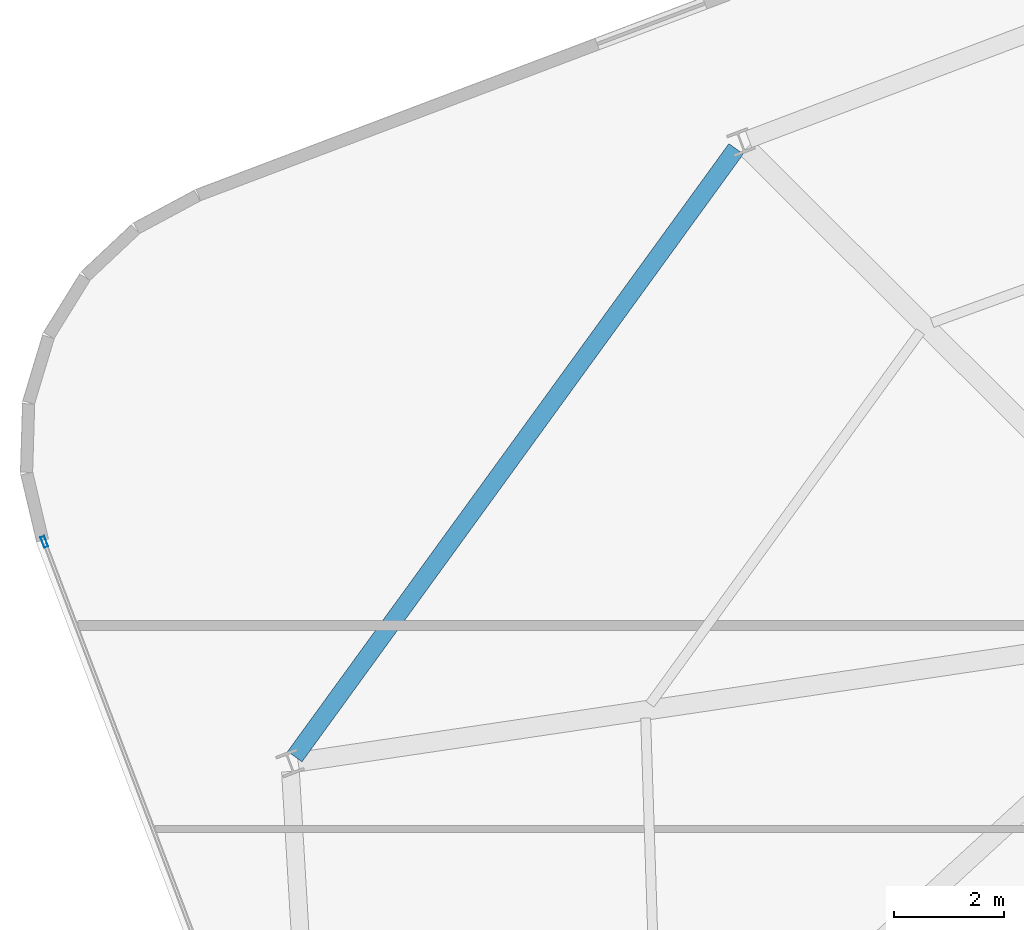
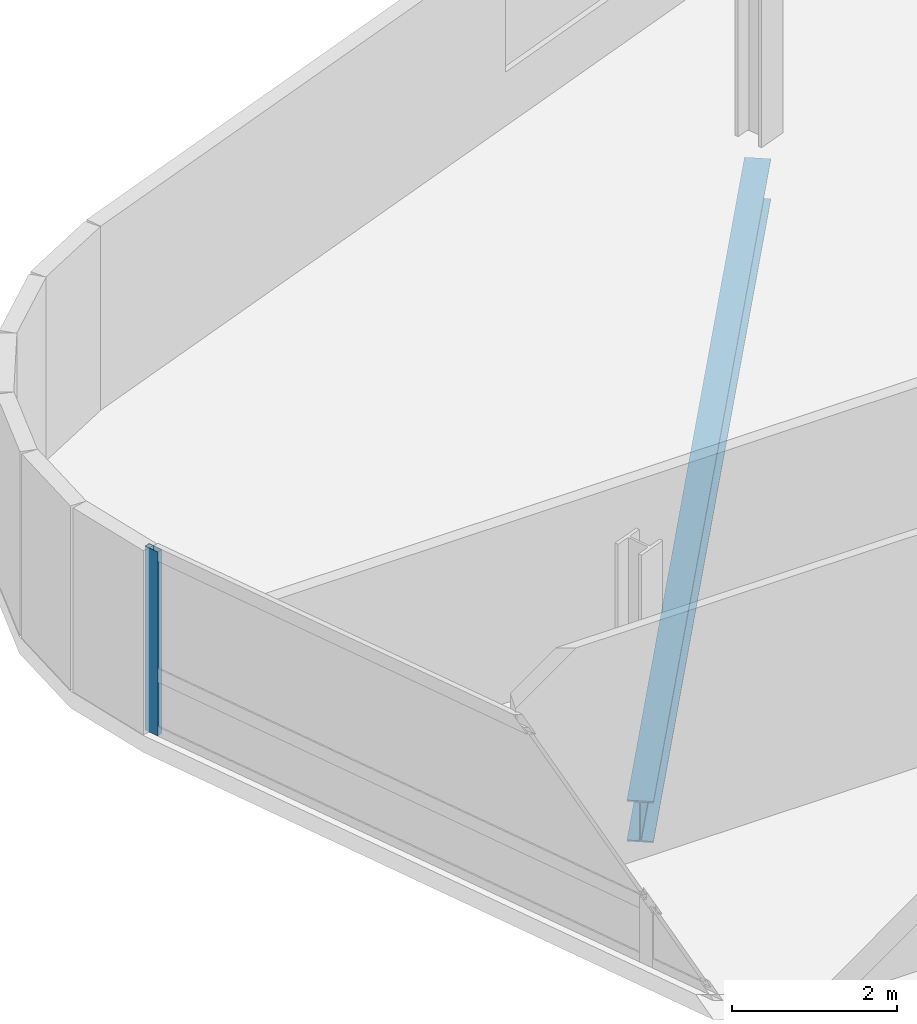
# One storey, part 8 of 20: 1 beam, 1 member, 1 element without a shape of its own.
"""IFC4 building model written with IfcOpenShell, lengths in metres."""

from ifc_helpers import new_model, si_unit, direction, frame, origin, origin_2d, place, context, subcontext, project, spatial, hollow_rectangle, i_section, extrude, material, layer, layer_set, material_profile, profile_set, type_object, element, aggregate, save


model = new_model("IFC4")

# Units and contexts
model_context = context("Model", 3, precision=1e-05, world=origin(), true_north=direction((0.0, 1.0)))
body_context = subcontext(model_context, "Body", "Model", "MODEL_VIEW")
ifc_project = project(units=[si_unit("LENGTHUNIT", "METRE"), si_unit("AREAUNIT", "SQUARE_METRE"), si_unit("VOLUMEUNIT", "CUBIC_METRE"), si_unit("PLANEANGLEUNIT", "RADIAN"), si_unit("MASSUNIT", "GRAM", prefix="KILO")], contexts=[model_context])

# Site, building, storey
site_placement = place(None, origin())
site = spatial("IfcSite", under=ifc_project, at=site_placement, CompositionType="ELEMENT")
building_placement = place(site_placement, origin())
building = spatial("IfcBuilding", under=site, at=building_placement, Name="Varnelok Gate Tower", CompositionType="ELEMENT")
storey_placement = place(building_placement, frame((0.0, 0.0, 234.89990234375)))
storey = spatial("IfcBuildingStorey", under=building, at=storey_placement, Name="L60", CompositionType="ELEMENT", Elevation=234.89990234375)

# Beam
ifc_material_1 = material(Name="Structural Steel ASTM A992 Grade 50", Category="steel")
ifc_material_profile_1 = material_profile(ifc_material_1, i_section(OverallWidth=0.323974609375, OverallDepth=0.611083984375, WebThickness=0.0126953125, FlangeThickness=0.01904296875, FilletRadius=0.01806640625, at=origin_2d()), Name="W24X104")
ifc_profile_set_1 = profile_set([ifc_material_profile_1], Name="Structural Steel ASTM A992 Grade 50")
beam_type = type_object("IfcBeamType", Name="BM-SPN-W24X104", PredefinedType="SPANDREL", material=ifc_profile_set_1)
beam_placement = place(storey_placement, frame((15.479736328125, 35.35009765625, -0.555419921875), z_axis=(-0.587549324529, -0.80918835338, 0.0), x_axis=(0.80918835338, -0.587549324529, 0.0)))
element("IfcBeam", 1, at=beam_placement, inside=storey, type_object=beam_type, Name="L60 Perimeter Spandrel Beam 13", PredefinedType="SPANDREL", context=body_context, shape_type="SweptSolid", body=[
    extrude(i_section(OverallWidth=0.323974609375, OverallDepth=0.611083984375, WebThickness=0.0126953125, FlangeThickness=0.01904296875, FilletRadius=0.01806640625, at=origin_2d()), origin(), (0.0, 0.0, 1.0), 13.6953125),
])

# Curtain wall, member
ifc_material_2 = material(Name="Anodized Aluminum Alloy 6063-T6", Category="aluminium")
ifc_layer = layer(ifc_material_2, 0.179931640625)
ifc_layer_set = layer_set([ifc_layer], Name="Anodized Aluminum Alloy 6063-T6")
curtain_wall_type = type_object("IfcCurtainWallType", Name="CW4-RESIDENCE-VISION", PredefinedType="USERDEFINED", material=ifc_layer_set)
curtain_wall_placement = place(storey_placement, origin())
curtain_wall = element("IfcCurtainWall", 2, at=curtain_wall_placement, inside=storey, type_object=curtain_wall_type, Name="L60 West End Vision Curtain Wall", ObjectType="UNITISED CURTAIN WALL", PredefinedType="USERDEFINED")
ifc_material_profile_2 = material_profile(ifc_material_2, hollow_rectangle(XDim=0.074951171875, YDim=0.199951171875, WallThickness=0.00390625, at=origin_2d()), Name="ALU200X75X4")
ifc_profile_set_2 = profile_set([ifc_material_profile_2], Name="Anodized Aluminum Alloy 6063-T6")
member_type = type_object("IfcMemberType", Name="CW-MULL-200", PredefinedType="MULLION", material=ifc_profile_set_2)
member_placement = place(storey_placement, frame((2.864990234375, 28.1845703125, 0.0), z_axis=(0.0, 0.0, 1.0), x_axis=(-0.935221557832, -0.354063042079, 0.0)))
member = element("IfcMember", 3, at=member_placement, type_object=member_type, Name="CW4 mullion 5", PredefinedType="MULLION", context=body_context, shape_type="SweptSolid", body=[
    extrude(hollow_rectangle(XDim=0.074951171875, YDim=0.199951171875, WallThickness=0.00390625, at=origin_2d()), origin(), (0.0, 0.0, 1.0), 2.72998046875),
])
aggregate(curtain_wall, [member])

save(model, "model.ifc")
